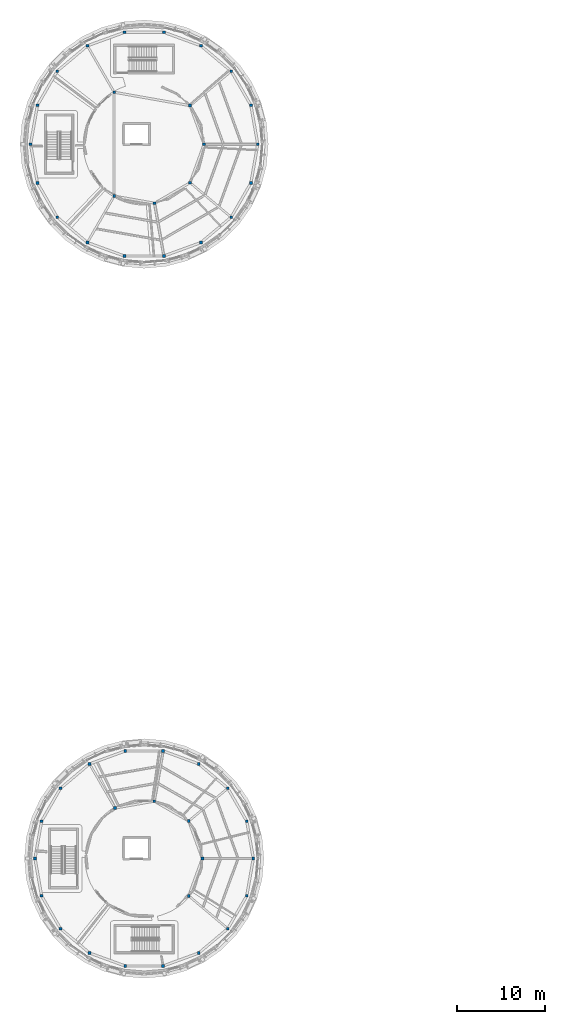
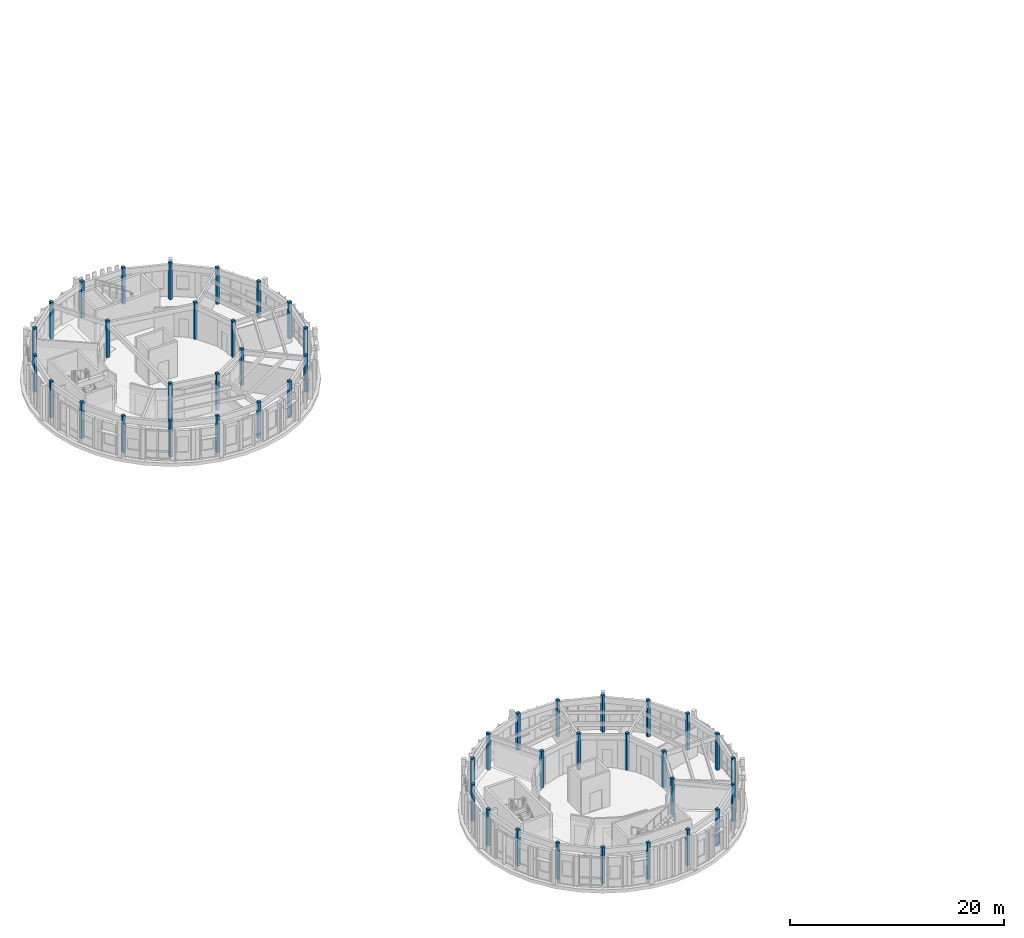
# One storey, part 1 of 37: 47 columns.
"""IFC4 building model written with IfcOpenShell, lengths in metres."""

import ifcopenshell
import ifcopenshell.guid

model = None  # the IFC model being written
_history = None  # IfcOwnerHistory: only IFC2X3 demands one
_inside = {}  # id of a spatial element -> (the spatial element, [elements in it])
_under = {}  # id of a project, library or spatial element -> (it, [spatial elements below it])
_declared = {}  # id of a project -> (the project, [libraries it declares])
_typed = {}  # id of a type object -> (the type object, [elements of that type])
_made_of = {}  # id of a material, layer set ... -> (it, [elements and type objects made of it])


def new_model(schema):
    """Start an empty IFC model of exactly this schema.

    Asked for "IFC4X3", IfcOpenShell would pick the latest addendum, in which some entities
    have other attributes; the version numbers below select the first issue.
    IFC2X3 requires an IfcOwnerHistory on every rooted entity: one is made here for all.
    """
    global model, _history
    if schema == "IFC4X3":
        model = ifcopenshell.file(schema_version=(4, 3, 0, 0))
    else:
        model = ifcopenshell.file(schema=schema)
    _inside.clear()
    _under.clear()
    _declared.clear()
    _typed.clear()
    _made_of.clear()
    _history = None
    if model.schema == "IFC2X3":
        org = make("IfcOrganization", Name="unknown")
        user = make(
            "IfcPersonAndOrganization",
            ThePerson=make("IfcPerson", FamilyName="unknown"),
            TheOrganization=org,
        )
        app = make(
            "IfcApplication",
            ApplicationDeveloper=org,
            Version="unknown",
            ApplicationFullName="unknown",
            ApplicationIdentifier="unknown",
        )
        _history = make(
            "IfcOwnerHistory",
            OwningUser=user,
            OwningApplication=app,
            ChangeAction="ADDED",
            CreationDate=0,
        )
    return model


def make(cls, **values):
    """One entity of the class cls with the attributes given. An attribute that is None is left unset."""
    return model.create_entity(
        cls, **{name: value for name, value in values.items() if value is not None}
    )


def rooted(cls, **values):
    """An entity with a GlobalId (a new one), such as an element, a storey or a relation."""
    return make(cls, GlobalId=ifcopenshell.guid.new(), OwnerHistory=_history, **values)


def si_unit(unit_type, name, prefix=None):
    """IfcSIUnit, for example si_unit("LENGTHUNIT", "METRE", prefix="MILLI")."""
    return make("IfcSIUnit", UnitType=unit_type, Prefix=prefix, Name=name)


def assignment(units):
    """IfcUnitAssignment: the units of a project."""
    return None if units is None else make("IfcUnitAssignment", Units=units)


def point(xyz):
    """IfcCartesianPoint."""
    return None if xyz is None else make("IfcCartesianPoint", Coordinates=xyz)


def direction(xyz):
    """IfcDirection."""
    return None if xyz is None else make("IfcDirection", DirectionRatios=xyz)


def frame(location, z_axis=None, x_axis=None):
    """IfcAxis2Placement3D, a coordinate frame: its origin and axes. An axis left out is left unset."""
    return make(
        "IfcAxis2Placement3D",
        Location=point(location),
        Axis=direction(z_axis),
        RefDirection=direction(x_axis),
    )


def frame_2d(location, x_axis=None):
    """IfcAxis2Placement2D, a coordinate frame in the plane: its origin and x axis."""
    return make(
        "IfcAxis2Placement2D", Location=point(location), RefDirection=direction(x_axis)
    )


def origin():
    """The frame at (0, 0, 0) with its axes left unset."""
    return frame((0.0, 0.0, 0.0))


def origin_2d():
    """The frame at (0, 0) in the plane with its x axis left unset."""
    return frame_2d((0.0, 0.0))


def place(relative_to, where):
    """IfcLocalPlacement: puts the frame where relative to a parent placement (None: the world)."""
    return make(
        "IfcLocalPlacement", PlacementRelTo=relative_to, RelativePlacement=where
    )


def context(
    kind, dimensions, precision=None, world=None, true_north=None, identifier=None
):
    """IfcGeometricRepresentationContext, for example the 3D "Model" context."""
    return make(
        "IfcGeometricRepresentationContext",
        ContextIdentifier=identifier,
        ContextType=kind,
        CoordinateSpaceDimension=dimensions,
        Precision=precision,
        WorldCoordinateSystem=world,
        TrueNorth=true_north,
    )


def subcontext(parent, identifier, kind, view, scale=None):
    """IfcGeometricRepresentationSubContext, for example "Body" below "Model"."""
    return make(
        "IfcGeometricRepresentationSubContext",
        ContextIdentifier=identifier,
        ContextType=kind,
        ParentContext=parent,
        TargetScale=scale,
        TargetView=view,
    )


def project(units=None, contexts=None):
    """IfcProject with its units and contexts."""
    return rooted(
        "IfcProject",
        Name="project",
        RepresentationContexts=contexts,
        UnitsInContext=assignment(units),
    )


def spatial(cls, under=None, at=None, **own):
    """A site, building, storey or space (cls), placed at a placement, below another one or the project."""
    s = rooted(cls, ObjectPlacement=at, **own)
    if under is not None:
        _under.setdefault(under.id(), (under, []))[1].append(s)
    return s


def profile(cls, at=None, kind="AREA", **sizes):
    """A parametric profile (cls). Its sizes go by their IFC names, for example OverallWidth=200.0."""
    return make(cls, ProfileType=kind, Position=at, **sizes)


def rectangle(**sizes):
    """IfcRectangleProfileDef."""
    return profile("IfcRectangleProfileDef", **sizes)


def extrude(swept, where, along, depth):
    """IfcExtrudedAreaSolid: the profile swept, set in the frame where, extruded along a direction by depth."""
    return make(
        "IfcExtrudedAreaSolid",
        SweptArea=swept,
        Position=where,
        ExtrudedDirection=direction(along),
        Depth=depth,
    )


def shape(context_of_items, identifier, shape_type, items):
    """IfcShapeRepresentation: the items that make up one representation, for example the "Body"."""
    return make(
        "IfcShapeRepresentation",
        ContextOfItems=context_of_items,
        RepresentationIdentifier=identifier,
        RepresentationType=shape_type,
        Items=items,
    )


def material(Name=None, Category=None):
    """IfcMaterial."""
    return make("IfcMaterial", Name=Name, Category=Category)


def material_profile(
    of_material, cross_section, Name=None, Category=None, Priority=None
):
    """IfcMaterialProfile: a cross section and its material."""
    return make(
        "IfcMaterialProfile",
        Name=Name,
        Material=of_material,
        Profile=cross_section,
        Priority=Priority,
        Category=Category,
    )


def profile_set(profiles, Name=None, composite=None):
    """IfcMaterialProfileSet."""
    return make(
        "IfcMaterialProfileSet",
        Name=Name,
        MaterialProfiles=profiles,
        CompositeProfile=composite,
    )


def made_of(thing, what):
    """Note that an element or type object is made of a material, layer set ...; save() writes the relation."""
    if what is not None:
        _made_of.setdefault(what.id(), (what, []))[1].append(thing)
    return thing


def type_object(cls, material=None, **own):
    """A type object (cls), such as IfcWallType, which elements share."""
    return made_of(rooted(cls, **own), material)


def element(
    cls,
    number,
    at=None,
    inside=None,
    cuts=None,
    type_object=None,
    material=None,
    context=None,
    identifier="Body",
    shape_type=None,
    held_by="IfcProductDefinitionShape",
    body=None,
    shapes=None,
    **own,
):
    """One element of the class cls, such as IfcWall. Its Tag is "e" and its number.

    at: its placement. inside: the storey or other place that contains it. cuts: it is an
    opening in that element (IfcRelVoidsElement). A single representation is given by context,
    identifier, shape_type and body (its items); several are given by shapes. held_by: the class
    of the entity that holds the representations. save() writes the other relations.
    """
    e = rooted(cls, Tag="e%d" % number, ObjectPlacement=at, **own)
    if body is not None:
        shapes = [shape(context, identifier, shape_type, body)]
    if shapes is not None:
        e.Representation = make(held_by, Representations=shapes)
    if inside is not None:
        _inside.setdefault(inside.id(), (inside, []))[1].append(e)
    if cuts is not None:
        rooted(
            "IfcRelVoidsElement", RelatingBuildingElement=cuts, RelatedOpeningElement=e
        )
    if type_object is not None:
        _typed.setdefault(type_object.id(), (type_object, []))[1].append(e)
    return made_of(e, material)


def aggregate(whole, parts):
    """IfcRelAggregates: a whole, such as a stair, and the parts it consists of."""
    return rooted("IfcRelAggregates", RelatingObject=whole, RelatedObjects=parts)


def save(model, path):
    """Write the relations noted so far, then the file.

    IfcRelAggregates (storeys below a building ...), IfcRelContainedInSpatialStructure (elements
    in a storey), IfcRelDefinesByType, IfcRelAssociatesMaterial and IfcRelDeclares: one each for
    every whole, place, type object, material and project.
    """
    for whole, parts in _under.values():
        aggregate(whole, parts)
    for where, things in _inside.values():
        rooted(
            "IfcRelContainedInSpatialStructure",
            RelatedElements=things,
            RelatingStructure=where,
        )
    for kind, things in _typed.values():
        rooted("IfcRelDefinesByType", RelatedObjects=things, RelatingType=kind)
    for what, things in _made_of.values():
        rooted("IfcRelAssociatesMaterial", RelatedObjects=things, RelatingMaterial=what)
    for by, libraries in _declared.values():
        rooted("IfcRelDeclares", RelatingContext=by, RelatedDefinitions=libraries)
    model.write(path)


model = new_model("IFC4")

# Units and contexts
model_context = context("Model", 3, precision=1e-05, world=origin(), true_north=direction((0.0, 1.0)))
body_context = subcontext(model_context, "Body", "Model", "MODEL_VIEW")
ifc_project = project(units=[si_unit("LENGTHUNIT", "METRE"), si_unit("AREAUNIT", "SQUARE_METRE"), si_unit("VOLUMEUNIT", "CUBIC_METRE"), si_unit("PLANEANGLEUNIT", "RADIAN"), si_unit("MASSUNIT", "GRAM", prefix="KILO")], contexts=[model_context])

# Site, building, storey
site_placement = place(None, origin())
site = spatial("IfcSite", under=ifc_project, at=site_placement, CompositionType="ELEMENT")
building_placement = place(site_placement, origin())
building = spatial("IfcBuilding", under=site, at=building_placement, Name="Aldenvaro Health Centre", CompositionType="ELEMENT")
storey_placement = place(building_placement, frame((0.0, 0.0, 12.949951171875)))
storey = spatial("IfcBuildingStorey", under=building, at=storey_placement, Name="L03", CompositionType="ELEMENT", Elevation=12.949951171875)

# Columns
ifc_material = material(Name="Glulam GL28h", Category="wood")
ifc_material_profile_1 = material_profile(ifc_material, rectangle(XDim=0.31494140625, YDim=0.31494140625, at=origin_2d()), Name="GL 315x315", Category="wood")
ifc_profile_set_1 = profile_set([ifc_material_profile_1], Name="Glulam GL28h")
column_type_1 = type_object("IfcColumnType", Name="COL-GL-315", PredefinedType="COLUMN", material=ifc_profile_set_1)
for number, where, z_axis, x_axis, name in (
    (1, (25.300048828125, 99.5, 0.0), (0.0, 0.0, 1.0), (1.0, 0.0, 0.0), "D4 L03 column IN-01"),
    (2, (23.708984375, 103.87109375, 0.0), (0.0, 0.0, 1.0), (1.0, 0.0, 0.0), "D4 L03 column IN-02"),
    (3, (15.10009765625, 105.388916015625, 0.0), (0.0, 0.0, 1.0), (1.0, 0.0, 0.0), "D4 L03 column IN-03"),
    (4, (15.10009765625, 93.611083984375, 0.0), (0.0, 0.0, 1.0), (1.0, 0.0, 0.0), "D4 L03 column IN-04"),
    (5, (19.680908203125, 92.802978515625, 0.0), (0.0, 0.0, 1.0), (1.0, 0.0, 0.0), "D4 L03 column IN-05"),
    (6, (23.708984375, 95.12890625, 0.0), (0.0, 0.0, 1.0), (1.0, 0.0, 0.0), "D4 L03 column IN-06"),
    (7, (25.10009765625, 18.5, 0.0), (0.0, 0.0, 1.0), (1.0, 0.0, 0.0), "D5 L03 column IN-01"),
    (8, (23.555908203125, 22.741943359375, 0.0), (0.0, 0.0, 1.0), (1.0, 0.0, 0.0), "D5 L03 column IN-02"),
    (9, (19.64599609375, 25.0, 0.0), (0.0, 0.0, 1.0), (1.0, 0.0, 0.0), "D5 L03 column IN-03"),
    (10, (15.199951171875, 24.216064453125, 0.0), (0.0, 0.0, 1.0), (1.0, 0.0, 0.0), "D5 L03 column IN-04"),
    (11, (23.555908203125, 14.258056640625, 0.0), (0.0, 0.0, 1.0), (1.0, 0.0, 0.0), "D5 L03 column IN-05"),
):
    element("IfcColumn", number, at=place(storey_placement, frame(where, z_axis=z_axis, x_axis=x_axis)), inside=storey, type_object=column_type_1, Name=name, PredefinedType="COLUMN", context=body_context, shape_type="SweptSolid", body=[
        extrude(rectangle(XDim=0.31494140625, YDim=0.31494140625, at=origin_2d()), origin(), (0.0, 0.0, 1.0), 4.199951171875),
    ])
ifc_material_profile_2 = material_profile(ifc_material, rectangle(XDim=0.31494140625, YDim=0.31494140625, at=origin_2d()), Name="GL 315x315", Category="wood")
ifc_profile_set_2 = profile_set([ifc_material_profile_2], Name="Glulam GL28h")
column_type_2 = type_object("IfcColumnType", Name="COL-GL-315E", PredefinedType="COLUMN", material=ifc_profile_set_2)
for number, where, z_axis, x_axis, name in (
    (12, (31.3798828125, 99.5, 0.0), (0.0, 0.0, 1.0), (1.0, 0.0, 0.0), "D4 L03 column OUT-01"),
    (13, (30.60302734375, 103.905029296875, 0.0), (0.0, 0.0, 1.0), (1.0, 0.0, 0.0), "D4 L03 column OUT-02"),
    (14, (28.366943359375, 107.779052734375, 0.0), (0.0, 0.0, 1.0), (1.0, 0.0, 0.0), "D4 L03 column OUT-03"),
    (15, (24.93994140625, 110.654052734375, 0.0), (0.0, 0.0, 1.0), (1.0, 0.0, 0.0), "D4 L03 column OUT-04"),
    (16, (20.737060546875, 112.18408203125, 0.0), (0.0, 0.0, 1.0), (1.0, 0.0, 0.0), "D4 L03 column OUT-05"),
    (17, (16.262939453125, 112.18408203125, 0.0), (0.0, 0.0, 1.0), (1.0, 0.0, 0.0), "D4 L03 column OUT-06"),
    (18, (12.06005859375, 110.654052734375, 0.0), (0.0, 0.0, 1.0), (1.0, 0.0, 0.0), "D4 L03 column OUT-07"),
    (19, (8.633056640625, 107.779052734375, 0.0), (0.0, 0.0, 1.0), (1.0, 0.0, 0.0), "D4 L03 column OUT-08"),
    (20, (6.39697265625, 103.905029296875, 0.0), (0.0, 0.0, 1.0), (1.0, 0.0, 0.0), "D4 L03 column OUT-09"),
    (21, (5.6201171875, 99.5, 0.0), (0.0, 0.0, 1.0), (1.0, 0.0, 0.0), "D4 L03 column OUT-10"),
    (22, (6.39697265625, 95.094970703125, 0.0), (0.0, 0.0, 1.0), (1.0, 0.0, 0.0), "D4 L03 column OUT-11"),
    (23, (8.633056640625, 91.220947265625, 0.0), (0.0, 0.0, 1.0), (1.0, 0.0, 0.0), "D4 L03 column OUT-12"),
    (24, (12.06005859375, 88.345947265625, 0.0), (0.0, 0.0, 1.0), (1.0, 0.0, 0.0), "D4 L03 column OUT-13"),
    (25, (16.262939453125, 86.81591796875, 0.0), (0.0, 0.0, 1.0), (1.0, 0.0, 0.0), "D4 L03 column OUT-14"),
    (26, (20.737060546875, 86.81591796875, 0.0), (0.0, 0.0, 1.0), (1.0, 0.0, 0.0), "D4 L03 column OUT-15"),
    (27, (24.93994140625, 88.345947265625, 0.0), (0.0, 0.0, 1.0), (1.0, 0.0, 0.0), "D4 L03 column OUT-16"),
    (28, (28.366943359375, 91.220947265625, 0.0), (0.0, 0.0, 1.0), (1.0, 0.0, 0.0), "D4 L03 column OUT-17"),
    (29, (30.60302734375, 95.094970703125, 0.0), (0.0, 0.0, 1.0), (1.0, 0.0, 0.0), "D4 L03 column OUT-18"),
    (30, (30.8798828125, 18.5, 0.0), (0.0, 0.0, 1.0), (1.0, 0.0, 0.0), "D5 L03 column OUT-01"),
    (31, (30.133056640625, 22.73388671875, 0.0), (0.0, 0.0, 1.0), (1.0, 0.0, 0.0), "D5 L03 column OUT-02"),
    (32, (27.98388671875, 26.4580078125, 0.0), (0.0, 0.0, 1.0), (1.0, 0.0, 0.0), "D5 L03 column OUT-03"),
    (33, (24.68994140625, 29.220947265625, 0.0), (0.0, 0.0, 1.0), (1.0, 0.0, 0.0), "D5 L03 column OUT-04"),
    (34, (20.64990234375, 30.69189453125, 0.0), (0.0, 0.0, 1.0), (1.0, 0.0, 0.0), "D5 L03 column OUT-05"),
    (35, (16.35009765625, 30.69189453125, 0.0), (0.0, 0.0, 1.0), (1.0, 0.0, 0.0), "D5 L03 column OUT-06"),
    (36, (12.31005859375, 29.220947265625, 0.0), (0.0, 0.0, 1.0), (1.0, 0.0, 0.0), "D5 L03 column OUT-07"),
    (37, (9.01611328125, 26.4580078125, 0.0), (0.0, 0.0, 1.0), (1.0, 0.0, 0.0), "D5 L03 column OUT-08"),
    (38, (6.866943359375, 22.73388671875, 0.0), (0.0, 0.0, 1.0), (1.0, 0.0, 0.0), "D5 L03 column OUT-09"),
    (39, (6.1201171875, 18.5, 0.0), (0.0, 0.0, 1.0), (1.0, 0.0, 0.0), "D5 L03 column OUT-10"),
    (40, (6.866943359375, 14.26611328125, 0.0), (0.0, 0.0, 1.0), (1.0, 0.0, 0.0), "D5 L03 column OUT-11"),
    (41, (9.01611328125, 10.5419921875, 0.0), (0.0, 0.0, 1.0), (1.0, 0.0, 0.0), "D5 L03 column OUT-12"),
    (42, (12.31005859375, 7.779052734375, 0.0), (0.0, 0.0, 1.0), (1.0, 0.0, 0.0), "D5 L03 column OUT-13"),
    (43, (16.35009765625, 6.30810546875, 0.0), (0.0, 0.0, 1.0), (1.0, 0.0, 0.0), "D5 L03 column OUT-14"),
    (44, (20.64990234375, 6.30810546875, 0.0), (0.0, 0.0, 1.0), (1.0, 0.0, 0.0), "D5 L03 column OUT-15"),
    (45, (24.68994140625, 7.779052734375, 0.0), (0.0, 0.0, 1.0), (1.0, 0.0, 0.0), "D5 L03 column OUT-16"),
    (46, (27.98388671875, 10.5419921875, 0.0), (0.0, 0.0, 1.0), (1.0, 0.0, 0.0), "D5 L03 column OUT-17"),
    (47, (30.133056640625, 14.26611328125, 0.0), (0.0, 0.0, 1.0), (1.0, 0.0, 0.0), "D5 L03 column OUT-18"),
):
    element("IfcColumn", number, at=place(storey_placement, frame(where, z_axis=z_axis, x_axis=x_axis)), inside=storey, type_object=column_type_2, Name=name, PredefinedType="COLUMN", context=body_context, shape_type="SweptSolid", body=[
        extrude(rectangle(XDim=0.31494140625, YDim=0.31494140625, at=origin_2d()), origin(), (0.0, 0.0, 1.0), 4.199951171875),
    ])

save(model, "model.ifc")
